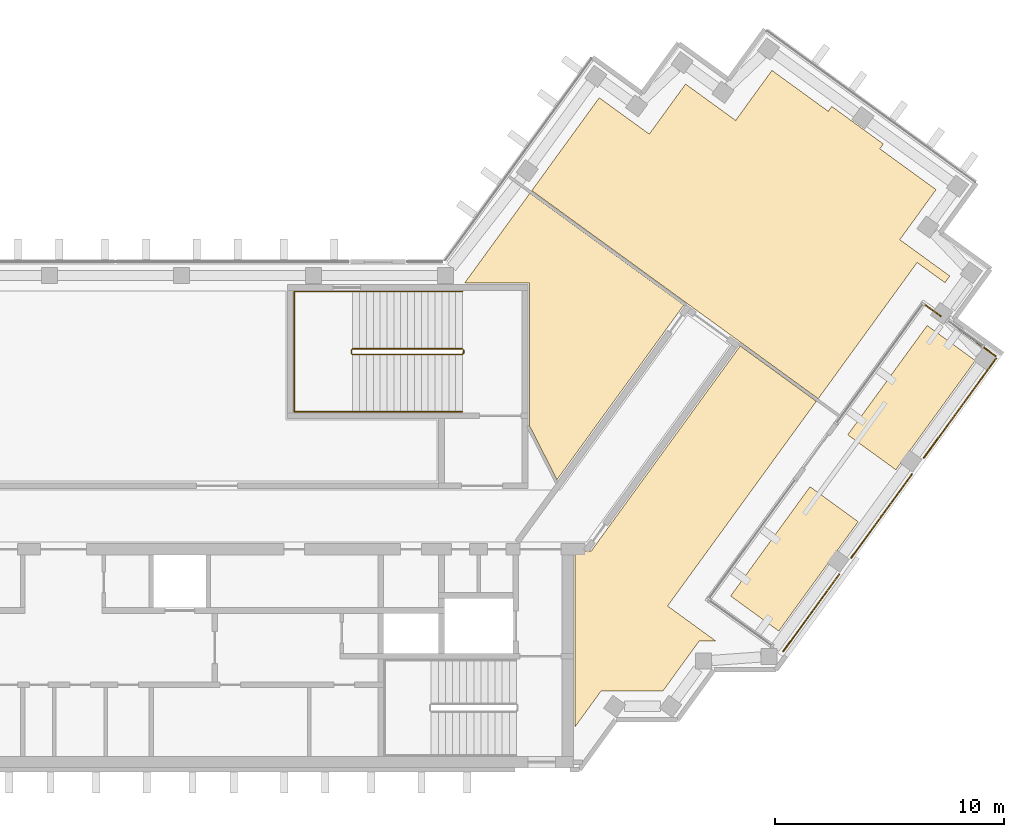
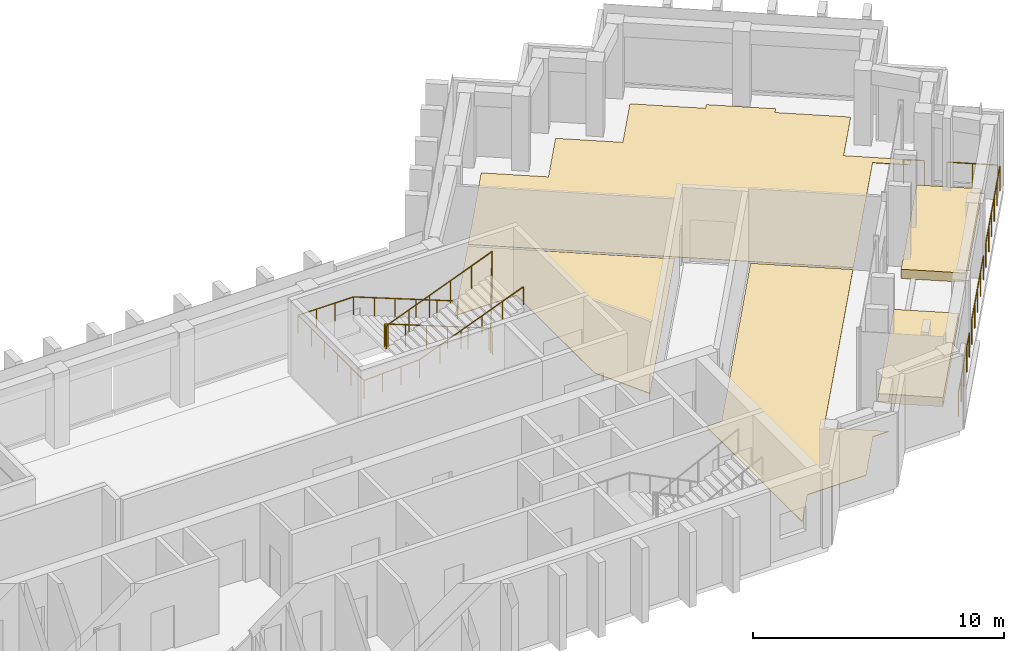
# One storey, part 9 of 9: 7 railings, 5 coverings.
"""IFC4 building model written with IfcOpenShell, lengths in metres."""

from ifc_helpers import new_model, si_unit, direction, frame, origin, origin_2d, place, context, subcontext, project, spatial, polyline, circle, outline, extrude, material, layer, layer_set, type_object, element, save


model = new_model("IFC4")

# Units and contexts
model_context = context("Model", 3, precision=1e-05, world=origin(), true_north=direction((0.0, 1.0)))
body_context = subcontext(model_context, "Body", "Model", "MODEL_VIEW")
ifc_project = project(units=[si_unit("LENGTHUNIT", "METRE"), si_unit("AREAUNIT", "SQUARE_METRE"), si_unit("VOLUMEUNIT", "CUBIC_METRE"), si_unit("PLANEANGLEUNIT", "RADIAN"), si_unit("MASSUNIT", "GRAM", prefix="KILO")], contexts=[model_context])

# Site, building, storey
site_placement = place(None, origin())
site = spatial("IfcSite", under=ifc_project, at=site_placement, CompositionType="ELEMENT")
building_placement = place(site_placement, origin())
building = spatial("IfcBuilding", under=site, at=building_placement, Name="Quipu Civic Tower", CompositionType="ELEMENT")
storey_placement = place(building_placement, frame((0.0, 0.0, 315.0)))
storey = spatial("IfcBuildingStorey", under=building, at=storey_placement, Name="L73", CompositionType="ELEMENT", Elevation=315.0)

# Coverings
ifc_material_1 = material(Name="Carpet tile on raised access floor")
ifc_layer_1 = layer(ifc_material_1, 0.02001953125)
ifc_layer_set_1 = layer_set([ifc_layer_1], Name="Carpet tile on raised access floor")
covering_type_1 = type_object("IfcCoveringType", Name="Carpet tile floor finish 20", PredefinedType="FLOORING", material=ifc_layer_set_1)
covering_1_placement = place(storey_placement, origin())
element("IfcCovering", 1, at=covering_1_placement, inside=storey, type_object=covering_type_1, Name="Carpet tile floor finish 20", PredefinedType="FLOORING", context=body_context, shape_type="SweptSolid", body=[
    extrude(outline(polyline([(18.172119140625, 14.20703125), (21.116943359375, 18.260986328125), (23.301025390625, 16.675048828125), (24.887939453125, 18.85791015625), (27.073974609375, 17.27197265625), (28.658935546875, 19.455078125), (31.116943359375, 17.6708984375), (31.27099609375, 17.8798828125), (33.52197265625, 16.2451171875), (33.3701171875, 16.032958984375), (35.826904296875, 14.248046875), (34.240966796875, 12.06396484375), (36.425048828125, 10.47705078125), (36.212890625, 10.18603515625), (34.998046875, 11.06591796875), (30.679931640625, 5.12109375), (18.172119140625, 14.20703125)])), origin(), (0.0, 0.0, 1.0), 0.02001953125),
])
ifc_material_2 = material(Name="Ceramic floor tile")
ifc_layer_2 = layer(ifc_material_2, 0.030029296875)
ifc_layer_set_2 = layer_set([ifc_layer_2], Name="Ceramic floor tile")
covering_type_2 = type_object("IfcCoveringType", Name="Ceramic tile floor finish 30", PredefinedType="FLOORING", material=ifc_layer_set_2)
covering_2_placement = place(storey_placement, origin())
element("IfcCovering", 2, at=covering_2_placement, inside=storey, type_object=covering_type_2, Name="Ceramic tile floor finish 30", PredefinedType="FLOORING", context=body_context, shape_type="SweptSolid", body=[
    extrude(outline(polyline([(15.238037109375, 10.169921875), (18.089111328125, 14.093994140625), (24.81201171875, 9.2109375), (19.27197265625, 1.583984375), (18.070068359375, 3.94189453125), (18.070068359375, 10.1689453125), (15.238037109375, 10.169921875)])), origin(), (0.0, 0.0, 1.0), 0.030029296875),
])
covering_3_placement = place(storey_placement, origin())
element("IfcCovering", 3, at=covering_3_placement, inside=storey, type_object=covering_type_2, Name="Ceramic tile floor finish 30", PredefinedType="FLOORING", context=body_context, shape_type="SweptSolid", body=[
    extrude(outline(polyline([(20.070068359375, -9.195068359375), (20.070068359375, -1.52001953125), (20.77490234375, -1.51904296875), (27.27197265625, 7.423095703125), (30.596923828125, 5.008056640625), (24.10302734375, -3.929931640625), (26.20703125, -5.4609375), (25.48193359375, -5.4619140625), (23.89501953125, -7.64599609375), (21.195068359375, -7.64599609375), (20.070068359375, -9.195068359375)])), origin(), (0.0, 0.0, 1.0), 0.030029296875),
])
ifc_material_3 = material(Name="Planting soil on drainage board")
ifc_layer_3 = layer(ifc_material_3, 0.449951171875)
ifc_layer_set_3 = layer_set([ifc_layer_3], Name="Planting soil on drainage board")
covering_type_3 = type_object("IfcCoveringType", Name="Planted terrace build-up", PredefinedType="FLOORING", material=ifc_layer_set_3)
covering_4_placement = place(storey_placement, origin())
element("IfcCovering", 4, at=covering_4_placement, inside=storey, type_object=covering_type_3, Name="Planted terrace L73 bed 1", PredefinedType="FLOORING", context=body_context, shape_type="SweptSolid", body=[
    extrude(outline(polyline([(30.32177734375, 1.27685546875), (32.42529296875, -0.25146484375), (28.957275390625, -5.024658203125), (26.85400390625, -3.496337890625), (30.32177734375, 1.27685546875)])), origin(), (0.0, 0.0, 1.0), 0.449951171875),
])
covering_5_placement = place(storey_placement, origin())
element("IfcCovering", 5, at=covering_5_placement, inside=storey, type_object=covering_type_3, Name="Planted terrace L73 bed 2", PredefinedType="FLOORING", context=body_context, shape_type="SweptSolid", body=[
    extrude(outline(polyline([(35.435546875, 8.315185546875), (37.5390625, 6.787109375), (34.071044921875, 2.013916015625), (31.967529296875, 3.5419921875), (35.435546875, 8.315185546875)])), origin(), (0.0, 0.0, 1.0), 0.449951171875),
])

# Railings
ifc_material_4 = material(Name="Stainless steel", Category="steel")
railing_type_1 = type_object("IfcRailingType", Name="Stair guard 1100", PredefinedType="GUARDRAIL", material=ifc_material_4)
railing_1_placement = place(storey_placement, frame((15.14990234375, 7.300048828125, 0.11767578125)))
element("IfcRailing", 6, at=railing_1_placement, inside=storey, type_object=railing_type_1, Name="Stair 4 guard", PredefinedType="GUARDRAIL", context=body_context, shape_type="SweptSolid", body=[
    extrude(circle(Radius=0.02392578125, at=origin_2d()), frame((0.0, 0.0, 1.076171875), z_axis=(-0.930970042603, 0.0, 0.365095576219), x_axis=(0.0, -1.0, 0.0)), (0.0, 0.0, 1.0), 5.15576171875),
    extrude(circle(Radius=0.02392578125, at=origin_2d()), frame((-4.7998046875, 0.0, 2.95849609375), z_axis=(-0.707106781187, -0.707106781187, 0.0), x_axis=(0.707106781187, -0.707106781187, 0.0)), (0.0, 0.0, 1.0), 0.07080078125),
    extrude(circle(Radius=0.02392578125, at=origin_2d()), frame((-4.849853515625, -0.050048828125, 2.95849609375), z_axis=(0.0, -1.0, 0.0), x_axis=(1.0, 0.0, 0.0)), (0.0, 0.0, 1.0), 0.14990234375),
    extrude(circle(Radius=0.02392578125, at=origin_2d()), frame((-4.849853515625, -0.199951171875, 2.95849609375), z_axis=(0.364463019033, -0.364463019033, 0.856932561824), x_axis=(0.707106781187, 0.707106781187, 0.0)), (0.0, 0.0, 1.0), 0.13720703125),
    extrude(circle(Radius=0.02392578125, at=origin_2d()), frame((-4.7998046875, -0.25, 3.076171875), z_axis=(0.930970042603, 0.0, 0.365095576219), x_axis=(0.0, 1.0, 0.0)), (0.0, 0.0, 1.0), 5.15576171875),
    extrude(circle(Radius=0.02392578125, at=origin_2d()), frame((0.0, -0.25, 4.95849609375), z_axis=(0.012495627992, 0.049921557685, -0.998674970829), x_axis=(-0.970072785993, 0.242814311512, 0.0)), (0.0, 0.0, 1.0), 4.00537109375),
    extrude(circle(Radius=0.02392578125, at=origin_2d()), frame((0.050048828125, -0.050048828125, 0.95849609375), z_axis=(0.0, -1.0, 0.0), x_axis=(1.0, 0.0, 0.0)), (0.0, 0.0, 1.0), 0.14990234375),
    extrude(circle(Radius=0.02099609375, at=origin_2d()), origin(), (0.0, 0.0, 1.0), 1.052001953125),
    extrude(circle(Radius=0.02099609375, at=origin_2d()), frame((-0.9599609375, 0.0, 0.37646484375)), (0.0, 0.0, 1.0), 1.052001953125),
    extrude(circle(Radius=0.02099609375, at=origin_2d()), frame((-1.919921875, 0.0, 0.7529296875)), (0.0, 0.0, 1.0), 1.052001953125),
    extrude(circle(Radius=0.02099609375, at=origin_2d()), frame((-2.8798828125, 0.0, 1.12939453125)), (0.0, 0.0, 1.0), 1.052001953125),
    extrude(circle(Radius=0.02099609375, at=origin_2d()), frame((-3.83984375, 0.0, 1.505859375)), (0.0, 0.0, 1.0), 1.052001953125),
    extrude(circle(Radius=0.02099609375, at=origin_2d()), frame((-4.7998046875, 0.0, 1.88232421875)), (0.0, 0.0, 1.0), 1.052001953125),
    extrude(circle(Radius=0.02099609375, at=origin_2d()), frame((-4.849853515625, -0.050048828125, 1.88232421875)), (0.0, 0.0, 1.0), 1.052001953125),
    extrude(circle(Radius=0.02099609375, at=origin_2d()), frame((-4.849853515625, -0.199951171875, 1.88232421875)), (0.0, 0.0, 1.0), 1.052001953125),
    extrude(circle(Radius=0.02099609375, at=origin_2d()), frame((-4.7998046875, -0.25, 2.0)), (0.0, 0.0, 1.0), 1.052001953125),
    extrude(circle(Radius=0.02099609375, at=origin_2d()), frame((-3.83984375, -0.25, 2.37646484375)), (0.0, 0.0, 1.0), 1.052001953125),
    extrude(circle(Radius=0.02099609375, at=origin_2d()), frame((-2.8798828125, -0.25, 2.7529296875)), (0.0, 0.0, 1.0), 1.052001953125),
    extrude(circle(Radius=0.02099609375, at=origin_2d()), frame((-1.919921875, -0.25, 3.12939453125)), (0.0, 0.0, 1.0), 1.052001953125),
    extrude(circle(Radius=0.02099609375, at=origin_2d()), frame((-0.9599609375, -0.25, 3.505859375)), (0.0, 0.0, 1.0), 1.052001953125),
    extrude(circle(Radius=0.02099609375, at=origin_2d()), frame((0.0, -0.25, 3.88232421875)), (0.0, 0.0, 1.0), 1.052001953125),
    extrude(circle(Radius=0.02099609375, at=origin_2d()), frame((0.012451171875, -0.199951171875, 2.88232421875)), (0.0, 0.0, 1.0), 1.052001953125),
    extrude(circle(Radius=0.02099609375, at=origin_2d()), frame((0.02490234375, -0.14990234375, 1.88232421875)), (0.0, 0.0, 1.0), 1.052001953125),
    extrude(circle(Radius=0.02099609375, at=origin_2d()), frame((0.03759765625, -0.10009765625, 0.88232421875)), (0.0, 0.0, 1.0), 1.052001953125),
    extrude(circle(Radius=0.02099609375, at=origin_2d()), frame((0.050048828125, -0.050048828125, -0.11767578125)), (0.0, 0.0, 1.0), 1.052001953125),
    extrude(circle(Radius=0.02099609375, at=origin_2d()), frame((0.050048828125, -0.199951171875, -0.11767578125)), (0.0, 0.0, 1.0), 1.052001953125),
])
ifc_material_5 = material(Name="Stainless steel", Category="steel")
railing_type_2 = type_object("IfcRailingType", Name="Stair handrail", PredefinedType="HANDRAIL", material=ifc_material_5)
railing_2_placement = place(storey_placement, frame((15.14990234375, 9.800048828125, 0.11767578125)))
element("IfcRailing", 7, at=railing_2_placement, inside=storey, type_object=railing_type_2, Name="Stair 4 handrail", PredefinedType="HANDRAIL", context=body_context, shape_type="SweptSolid", body=[
    extrude(circle(Radius=0.02392578125, at=origin_2d()), frame((0.0, 0.0, 0.8759765625), z_axis=(-0.930970042603, 0.0, 0.365095576219), x_axis=(0.0, -1.0, 0.0)), (0.0, 0.0, 1.0), 5.15576171875),
    extrude(circle(Radius=0.02392578125, at=origin_2d()), frame((-4.7998046875, 0.0, 2.75830078125), z_axis=(-1.0, 0.0, 0.0), x_axis=(0.0, -1.0, 0.0)), (0.0, 0.0, 1.0), 2.550048828125),
    extrude(circle(Radius=0.02392578125, at=origin_2d()), frame((-7.349853515625, 0.0, 2.75830078125), z_axis=(0.0, -1.0, 0.0), x_axis=(1.0, 0.0, 0.0)), (0.0, 0.0, 1.0), 5.25),
    extrude(circle(Radius=0.02392578125, at=origin_2d()), frame((-7.349853515625, -5.25, 2.75830078125), z_axis=(0.998936948642, 0.0, 0.04609742549), x_axis=(0.0, 1.0, 0.0)), (0.0, 0.0, 1.0), 2.552734375),
    extrude(circle(Radius=0.02392578125, at=origin_2d()), frame((-4.7998046875, -5.25, 2.8759765625), z_axis=(0.930970042603, 0.0, 0.365095576219), x_axis=(0.0, 1.0, 0.0)), (0.0, 0.0, 1.0), 5.15576171875),
    extrude(circle(Radius=0.02099609375, at=origin_2d()), origin(), (0.0, 0.0, 1.0), 0.851806640625),
    extrude(circle(Radius=0.02099609375, at=origin_2d()), frame((-0.9599609375, 0.0, 0.37646484375)), (0.0, 0.0, 1.0), 0.851806640625),
    extrude(circle(Radius=0.02099609375, at=origin_2d()), frame((-1.919921875, 0.0, 0.7529296875)), (0.0, 0.0, 1.0), 0.851806640625),
    extrude(circle(Radius=0.02099609375, at=origin_2d()), frame((-2.8798828125, 0.0, 1.12939453125)), (0.0, 0.0, 1.0), 0.851806640625),
    extrude(circle(Radius=0.02099609375, at=origin_2d()), frame((-3.83984375, 0.0, 1.505859375)), (0.0, 0.0, 1.0), 0.851806640625),
    extrude(circle(Radius=0.02099609375, at=origin_2d()), frame((-4.7998046875, 0.0, 1.88232421875)), (0.0, 0.0, 1.0), 0.851806640625),
    extrude(circle(Radius=0.02099609375, at=origin_2d()), frame((-5.64990234375, 0.0, 1.88232421875)), (0.0, 0.0, 1.0), 0.851806640625),
    extrude(circle(Radius=0.02099609375, at=origin_2d()), frame((-6.499755859375, 0.0, 1.88232421875)), (0.0, 0.0, 1.0), 0.851806640625),
    extrude(circle(Radius=0.02099609375, at=origin_2d()), frame((-7.349853515625, 0.0, 1.88232421875)), (0.0, 0.0, 1.0), 0.851806640625),
    extrude(circle(Radius=0.02099609375, at=origin_2d()), frame((-7.349853515625, -1.050048828125, 1.88232421875)), (0.0, 0.0, 1.0), 0.851806640625),
    extrude(circle(Radius=0.02099609375, at=origin_2d()), frame((-7.349853515625, -2.10009765625, 1.88232421875)), (0.0, 0.0, 1.0), 0.851806640625),
    extrude(circle(Radius=0.02099609375, at=origin_2d()), frame((-7.349853515625, -3.14990234375, 1.88232421875)), (0.0, 0.0, 1.0), 0.851806640625),
    extrude(circle(Radius=0.02099609375, at=origin_2d()), frame((-7.349853515625, -4.199951171875, 1.88232421875)), (0.0, 0.0, 1.0), 0.851806640625),
    extrude(circle(Radius=0.02099609375, at=origin_2d()), frame((-7.349853515625, -5.25, 1.88232421875)), (0.0, 0.0, 1.0), 0.851806640625),
    extrude(circle(Radius=0.02099609375, at=origin_2d()), frame((-6.499755859375, -5.25, 1.921630859375)), (0.0, 0.0, 1.0), 0.851806640625),
    extrude(circle(Radius=0.02099609375, at=origin_2d()), frame((-5.64990234375, -5.25, 1.960693359375)), (0.0, 0.0, 1.0), 0.851806640625),
    extrude(circle(Radius=0.02099609375, at=origin_2d()), frame((-4.7998046875, -5.25, 2.0)), (0.0, 0.0, 1.0), 0.851806640625),
    extrude(circle(Radius=0.02099609375, at=origin_2d()), frame((-3.83984375, -5.25, 2.37646484375)), (0.0, 0.0, 1.0), 0.851806640625),
    extrude(circle(Radius=0.02099609375, at=origin_2d()), frame((-2.8798828125, -5.25, 2.7529296875)), (0.0, 0.0, 1.0), 0.851806640625),
    extrude(circle(Radius=0.02099609375, at=origin_2d()), frame((-1.919921875, -5.25, 3.12939453125)), (0.0, 0.0, 1.0), 0.851806640625),
    extrude(circle(Radius=0.02099609375, at=origin_2d()), frame((-0.9599609375, -5.25, 3.505859375)), (0.0, 0.0, 1.0), 0.851806640625),
    extrude(circle(Radius=0.02099609375, at=origin_2d()), frame((0.0, -5.25, 3.88232421875)), (0.0, 0.0, 1.0), 0.851806640625),
])
ifc_material_6 = material(Name="Steel S275", Category="steel")
railing_type_3 = type_object("IfcRailingType", Name="Terrace guard G1", PredefinedType="GUARDRAIL", material=ifc_material_6)
railing_3_placement = place(storey_placement, frame((29.15478515625, -5.90966796875, 0.0)))
element("IfcRailing", 8, at=railing_3_placement, inside=storey, type_object=railing_type_3, Name="Terrace guard L73.1", PredefinedType="GUARDRAIL", context=body_context, shape_type="SweptSolid", body=[
    extrude(circle(Radius=0.02490234375, at=origin_2d()), frame((0.0, 0.0, 1.1748046875), z_axis=(0.587793418234, 0.809011061408, 0.0), x_axis=(-0.809011061408, 0.587793418234, 0.0)), (0.0, 0.0, 1.0), 4.145263671875),
    extrude(circle(Radius=0.02490234375, at=origin_2d()), origin(), (0.0, 0.0, 1.0), 1.14990234375),
    extrude(circle(Radius=0.02490234375, at=origin_2d()), frame((0.609130859375, 0.83837890625, 0.0)), (0.0, 0.0, 1.0), 1.14990234375),
    extrude(circle(Radius=0.02490234375, at=origin_2d()), frame((1.21826171875, 1.6767578125, 0.0)), (0.0, 0.0, 1.0), 1.14990234375),
    extrude(circle(Radius=0.02490234375, at=origin_2d()), frame((1.827392578125, 2.51513671875, 0.0)), (0.0, 0.0, 1.0), 1.14990234375),
    extrude(circle(Radius=0.02490234375, at=origin_2d()), frame((2.4365234375, 3.353515625, 0.0)), (0.0, 0.0, 1.0), 1.14990234375),
])
railing_4_placement = place(storey_placement, frame((32.120361328125, -1.827880859375, 0.0)))
element("IfcRailing", 9, at=railing_4_placement, inside=storey, type_object=railing_type_3, Name="Terrace guard L73.2", PredefinedType="GUARDRAIL", context=body_context, shape_type="SweptSolid", body=[
    extrude(circle(Radius=0.02490234375, at=origin_2d()), frame((0.0, 0.0, 1.1748046875), z_axis=(0.587803872688, 0.809003465539, 0.0), x_axis=(-0.809003465539, 0.587803872688, 0.0)), (0.0, 0.0, 1.0), 4.499755859375),
    extrude(circle(Radius=0.02490234375, at=origin_2d()), origin(), (0.0, 0.0, 1.0), 1.14990234375),
    extrude(circle(Radius=0.02490234375, at=origin_2d()), frame((0.6611328125, 0.91015625, 0.0)), (0.0, 0.0, 1.0), 1.14990234375),
    extrude(circle(Radius=0.02490234375, at=origin_2d()), frame((1.322509765625, 1.8203125, 0.0)), (0.0, 0.0, 1.0), 1.14990234375),
    extrude(circle(Radius=0.02490234375, at=origin_2d()), frame((1.98388671875, 2.730224609375, 0.0)), (0.0, 0.0, 1.0), 1.14990234375),
    extrude(circle(Radius=0.02490234375, at=origin_2d()), frame((2.64501953125, 3.640380859375, 0.0)), (0.0, 0.0, 1.0), 1.14990234375),
])
railing_5_placement = place(storey_placement, frame((35.29443359375, 2.540771484375, 0.0)))
element("IfcRailing", 10, at=railing_5_placement, inside=storey, type_object=railing_type_3, Name="Terrace guard L73.3", PredefinedType="GUARDRAIL", context=body_context, shape_type="SweptSolid", body=[
    extrude(circle(Radius=0.02490234375, at=origin_2d()), frame((0.0, 0.0, 1.1748046875), z_axis=(0.587762255175, 0.809033702259, 0.0), x_axis=(-0.809033702259, 0.587762255175, 0.0)), (0.0, 0.0, 1.0), 5.3544921875),
    extrude(circle(Radius=0.02490234375, at=origin_2d()), origin(), (0.0, 0.0, 1.0), 1.14990234375),
    extrude(circle(Radius=0.02490234375, at=origin_2d()), frame((0.62939453125, 0.866455078125, 0.0)), (0.0, 0.0, 1.0), 1.14990234375),
    extrude(circle(Radius=0.02490234375, at=origin_2d()), frame((1.2587890625, 1.73291015625, 0.0)), (0.0, 0.0, 1.0), 1.14990234375),
    extrude(circle(Radius=0.02490234375, at=origin_2d()), frame((1.888427734375, 2.59912109375, 0.0)), (0.0, 0.0, 1.0), 1.14990234375),
    extrude(circle(Radius=0.02490234375, at=origin_2d()), frame((2.517822265625, 3.465576171875, 0.0)), (0.0, 0.0, 1.0), 1.14990234375),
    extrude(circle(Radius=0.02490234375, at=origin_2d()), frame((3.147216796875, 4.33203125, 0.0)), (0.0, 0.0, 1.0), 1.14990234375),
])
railing_6_placement = place(storey_placement, frame((38.424072265625, 6.984375, 0.0)))
element("IfcRailing", 11, at=railing_6_placement, inside=storey, type_object=railing_type_3, Name="Terrace guard L73.4", PredefinedType="GUARDRAIL", context=body_context, shape_type="SweptSolid", body=[
    extrude(circle(Radius=0.02490234375, at=origin_2d()), frame((0.0, 0.0, 1.1748046875), z_axis=(-0.808983206573, 0.587831754401, 0.0), x_axis=(-0.587831754401, -0.808983206573, 0.0)), (0.0, 0.0, 1.0), 2.050048828125),
    extrude(circle(Radius=0.02490234375, at=origin_2d()), origin(), (0.0, 0.0, 1.0), 1.14990234375),
    extrude(circle(Radius=0.02490234375, at=origin_2d()), frame((-0.8291015625, 0.6025390625, 0.0)), (0.0, 0.0, 1.0), 1.14990234375),
    extrude(circle(Radius=0.02490234375, at=origin_2d()), frame((-1.658447265625, 1.205078125, 0.0)), (0.0, 0.0, 1.0), 1.14990234375),
])
railing_7_placement = place(storey_placement, frame((36.037353515625, 8.718505859375, 0.0)))
element("IfcRailing", 12, at=railing_7_placement, inside=storey, type_object=railing_type_3, Name="Terrace guard L73.5", PredefinedType="GUARDRAIL", context=body_context, shape_type="SweptSolid", body=[
    extrude(circle(Radius=0.02490234375, at=origin_2d()), frame((0.0, 0.0, 1.1748046875), z_axis=(-0.809009310944, 0.587795827483, 0.0), x_axis=(-0.587795827483, -0.809009310944, 0.0)), (0.0, 0.0, 1.0), 0.849853515625),
    extrude(circle(Radius=0.02490234375, at=origin_2d()), origin(), (0.0, 0.0, 1.0), 1.14990234375),
    extrude(circle(Radius=0.02490234375, at=origin_2d()), frame((-0.6875, 0.49951171875, 0.0)), (0.0, 0.0, 1.0), 1.14990234375),
])

save(model, "model.ifc")
